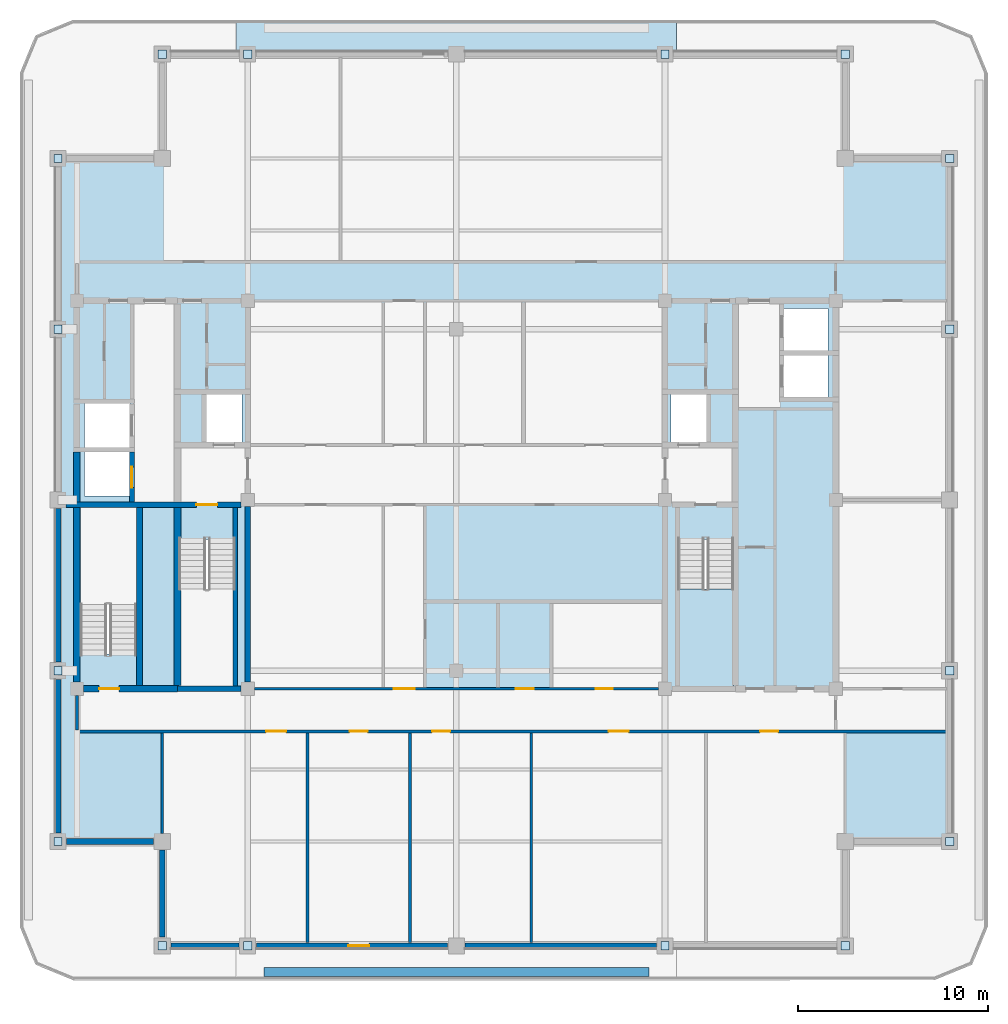
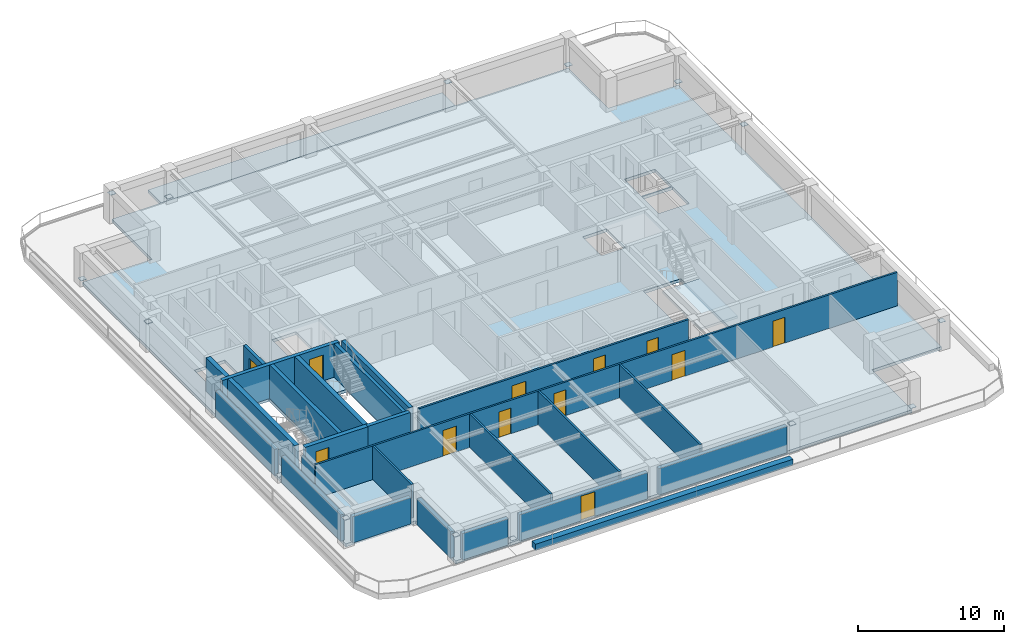
# One storey, part 2 of 10: 25 walls, 16 plates, 12 doors, 3 slabs, 12 openings, 1 element without a shape of its own.
"""IFC4 building model written with IfcOpenShell, lengths in metres."""

from ifc_helpers import new_model, si_unit, direction, frame, frame_2d, origin, origin_2d, place, context, subcontext, project, spatial, polyline, rectangle, outline, extrude, material, layer, layer_set, type_object, element, fill, aggregate, save


model = new_model("IFC4")

# Units and contexts
model_context = context("Model", 3, precision=1e-05, world=origin(), true_north=direction((0.0, 1.0)))
body_context = subcontext(model_context, "Body", "Model", "MODEL_VIEW")
ifc_project = project(units=[si_unit("LENGTHUNIT", "METRE"), si_unit("AREAUNIT", "SQUARE_METRE"), si_unit("VOLUMEUNIT", "CUBIC_METRE"), si_unit("PLANEANGLEUNIT", "RADIAN"), si_unit("MASSUNIT", "GRAM", prefix="KILO")], contexts=[model_context])

# Site, building, storey
site_placement = place(None, origin())
site = spatial("IfcSite", under=ifc_project, at=site_placement, CompositionType="ELEMENT")
building_placement = place(site_placement, origin())
building = spatial("IfcBuilding", under=site, at=building_placement, Name="Zulmaris Gate Convention Tower", CompositionType="ELEMENT")
storey_placement = place(building_placement, frame((0.0, 0.0, 246.199951171875)))
storey = spatial("IfcBuildingStorey", under=building, at=storey_placement, Name="L65", CompositionType="ELEMENT", Elevation=246.199951171875)

# Plates
ifc_material_1 = material(Name="Steel S460", Category="steel")
ifc_layer_1 = layer(ifc_material_1, 0.02490234375, Name="Steel S460")
ifc_layer_set_1 = layer_set([ifc_layer_1], Name="Steel S460")
plate_type = type_object("IfcPlateType", Name="NP-CAP-440", PredefinedType="USERDEFINED", material=ifc_layer_set_1)
for number, where, z_axis, x_axis, name in (
    (1, (-21.0, -9.0, 0.28759765625), (0.0, 0.0, 1.0), (1.0, 0.0, 0.0), "L65 Steel Node Plate PBR-L65-SW-W-CAP"),
    (2, (-21.0, -18.0, 2.172607421875), (0.0, 0.0, 1.0), (1.0, 0.0, 0.0), "L65 Steel Node Plate PBR-L65-SW-W-CAPB"),
    (3, (-21.0, 18.0, 0.28759765625), (0.0, 0.0, 1.0), (1.0, 0.0, 0.0), "L65 Steel Node Plate PBR-L65-NW-W-CAP"),
    (4, (-21.0, 9.0, 2.172607421875), (0.0, 0.0, 1.0), (1.0, 0.0, 0.0), "L65 Steel Node Plate PBR-L65-NW-W-CAPB"),
    (5, (26.0, -9.0, 0.28759765625), (0.0, 0.0, 1.0), (1.0, 0.0, 0.0), "L65 Steel Node Plate PBR-L65-SE-E-CAP"),
    (6, (26.0, -18.0, 2.172607421875), (0.0, 0.0, 1.0), (1.0, 0.0, 0.0), "L65 Steel Node Plate PBR-L65-SE-E-CAPB"),
    (7, (26.0, 18.0, 0.28759765625), (0.0, 0.0, 1.0), (1.0, 0.0, 0.0), "L65 Steel Node Plate PBR-L65-NE-E-CAP"),
    (8, (26.0, 9.0, 2.172607421875), (0.0, 0.0, 1.0), (1.0, 0.0, 0.0), "L65 Steel Node Plate PBR-L65-NE-E-CAPB"),
    (9, (-11.0, -23.5, 0.28759765625), (0.0, 0.0, 1.0), (1.0, 0.0, 0.0), "L65 Steel Node Plate PBR-L65-SW-S-CAP"),
    (10, (-15.5, -23.5, 2.172607421875), (0.0, 0.0, 1.0), (1.0, 0.0, 0.0), "L65 Steel Node Plate PBR-L65-SW-S-CAPB"),
    (11, (20.5, -23.5, 0.28759765625), (0.0, 0.0, 1.0), (1.0, 0.0, 0.0), "L65 Steel Node Plate PBR-L65-SE-S-CAP"),
    (12, (11.0, -23.5, 2.172607421875), (0.0, 0.0, 1.0), (1.0, 0.0, 0.0), "L65 Steel Node Plate PBR-L65-SE-S-CAPB"),
    (13, (-11.0, 23.5, 0.28759765625), (0.0, 0.0, 1.0), (1.0, 0.0, 0.0), "L65 Steel Node Plate PBR-L65-NW-N-CAP"),
    (14, (-15.5, 23.5, 2.172607421875), (0.0, 0.0, 1.0), (1.0, 0.0, 0.0), "L65 Steel Node Plate PBR-L65-NW-N-CAPB"),
    (15, (20.5, 23.5, 0.28759765625), (0.0, 0.0, 1.0), (1.0, 0.0, 0.0), "L65 Steel Node Plate PBR-L65-NE-N-CAP"),
    (16, (11.0, 23.5, 2.172607421875), (0.0, 0.0, 1.0), (1.0, 0.0, 0.0), "L65 Steel Node Plate PBR-L65-NE-N-CAPB"),
):
    element("IfcPlate", number, at=place(storey_placement, frame(where, z_axis=z_axis, x_axis=x_axis)), inside=storey, type_object=plate_type, Name=name, ObjectType="FLANGE PLATE", PredefinedType="USERDEFINED", context=body_context, shape_type="SweptSolid", body=[
        extrude(rectangle(XDim=0.43994140625, YDim=0.43994140625, at=origin_2d()), origin(), (0.0, 0.0, 1.0), 0.02490234375),
    ])

# Slabs
ifc_material_2 = material(Name="Precast concrete C50/60", Category="concrete")
ifc_layer_2 = layer(ifc_material_2, 0.239990234375, Name="Precast concrete C50/60")
ifc_layer_set_2 = layer_set([ifc_layer_2], Name="Precast concrete C50/60")
slab_type_1 = type_object("IfcSlabType", Name="SL-BAL-240", PredefinedType="FLOOR", material=ifc_layer_set_2)
slab_1_placement = place(storey_placement, frame((0.0, 0.0, -0.25)))
element("IfcSlab", 17, at=slab_1_placement, inside=storey, type_object=slab_type_1, Name="L65 North Tree-Balcony Planter Slab", PredefinedType="FLOOR", context=body_context, shape_type="SweptSolid", body=[
    extrude(outline(polyline([(11.597900390625, 25.300048828125), (11.597900390625, 23.5), (-11.597900390625, 23.5), (-11.597900390625, 25.300048828125), (11.597900390625, 25.300048828125)])), origin(), (0.0, 0.0, 1.0), 0.239990234375),
])
ifc_material_3 = material(Name="Concrete C50/60", Category="concrete")
ifc_layer_3 = layer(ifc_material_3, 0.25, Name="Concrete C50/60")
ifc_layer_set_3 = layer_set([ifc_layer_3], Name="Concrete C50/60")
slab_type_2 = type_object("IfcSlabType", Name="SL-FLR-250", PredefinedType="FLOOR", material=ifc_layer_set_3)
slab_2_placement = place(storey_placement, frame((0.0, 0.0, -0.25)))
element("IfcSlab", 18, at=slab_2_placement, inside=storey, type_object=slab_type_2, Name="L65 Shifted Notched-Square Structural Floor Slab", PredefinedType="FLOOR", context=body_context, shape_type="SweptSolid", body=[
    extrude(outline(polyline([(-15.5, -23.5), (20.5, -23.5), (20.5, -18.0), (26.0, -18.0), (26.0, 18.0), (20.5, 18.0), (20.5, 23.5), (-15.5, 23.5), (-15.5, 18.0), (-21.0, 18.0), (-21.0, -18.0), (-15.5, -18.0), (-15.5, -23.5)]), holes=[polyline([(-14.6201171875, -2.080078125), (-14.6201171875, -9.85009765625), (-11.659912109375, -9.85009765625), (-11.659912109375, -2.080078125), (-14.6201171875, -2.080078125)]), polyline([(11.659912109375, -2.080078125), (11.659912109375, -9.85009765625), (14.6201171875, -9.85009765625), (14.6201171875, -2.080078125), (11.659912109375, -2.080078125)]), polyline([(-16.860107421875, -8.1201171875), (-16.860107421875, -0.35009765625), (-19.820068359375, -0.35009765625), (-19.820068359375, -8.1201171875), (-16.860107421875, -8.1201171875)]), polyline([(-13.199951171875, 3.0), (-11.300048828125, 3.0), (-11.300048828125, 5.60009765625), (-13.199951171875, 5.60009765625), (-13.199951171875, 3.0)]), polyline([(11.300048828125, 3.0), (13.199951171875, 3.0), (13.199951171875, 5.60009765625), (11.300048828125, 5.60009765625), (11.300048828125, 3.0)]), polyline([(17.199951171875, 5.39990234375), (19.60009765625, 5.39990234375), (19.60009765625, 7.699951171875), (17.199951171875, 7.699951171875), (17.199951171875, 5.39990234375)]), polyline([(17.199951171875, 7.800048828125), (19.60009765625, 7.800048828125), (19.60009765625, 10.10009765625), (17.199951171875, 10.10009765625), (17.199951171875, 7.800048828125)]), polyline([(-19.60009765625, 0.199951171875), (-17.199951171875, 0.199951171875), (-17.199951171875, 2.60009765625), (-19.60009765625, 2.60009765625), (-19.60009765625, 0.199951171875)]), polyline([(-19.60009765625, 2.699951171875), (-17.199951171875, 2.699951171875), (-17.199951171875, 5.10009765625), (-19.60009765625, 5.10009765625), (-19.60009765625, 2.699951171875)])]), origin(), (0.0, 0.0, 1.0), 0.25),
])

# Stair, slab
ifc_material_4 = material(Name="Concrete C45/55", Category="concrete")
stair_type = type_object("IfcStairType", Name="ST-CORE-DOGLEG", PredefinedType="HALF_TURN_STAIR", material=ifc_material_4)
stair_placement = place(storey_placement, origin())
stair = element("IfcStair", 19, at=stair_placement, inside=storey, type_object=stair_type, Name="L65 Core Exit Stair ST-2", PredefinedType="HALF_TURN_STAIR")
ifc_layer_4 = layer(ifc_material_4, 0.199951171875, Name="Concrete C45/55")
ifc_layer_set_4 = layer_set([ifc_layer_4], Name="Concrete C45/55")
slab_type_3 = type_object("IfcSlabType", Name="SL-LND-200", PredefinedType="LANDING", material=ifc_layer_set_4)
slab_3_placement = place(storey_placement, frame((0.0, 0.0, 1.4150390625)))
slab_3 = element("IfcSlab", 20, at=slab_3_placement, type_object=slab_type_3, Name="ST-2 landing 1", PredefinedType="LANDING", context=body_context, shape_type="SweptSolid", body=[
    extrude(outline(polyline([(11.659912109375, -4.699951171875), (11.659912109375, -9.85009765625), (14.6201171875, -9.85009765625), (14.6201171875, -4.699951171875), (11.659912109375, -4.699951171875)])), origin(), (0.0, 0.0, 1.0), 0.199951171875),
])
aggregate(stair, [slab_3])

# Wall, opening, door
ifc_layer_5 = layer(ifc_material_3, 0.25, Name="Concrete C50/60")
ifc_layer_set_5 = layer_set([ifc_layer_5], Name="Concrete C50/60")
wall_type_1 = type_object("IfcWallType", Name="CORE-250", PredefinedType="SOLIDWALL", material=ifc_layer_set_5)
wall_1_placement = place(storey_placement, frame((-17.10009765625, -0.097900390625, 0.0), z_axis=(0.0, 0.0, 1.0), x_axis=(0.0, 1.0, 0.0)))
wall_1 = element("IfcWall", 21, at=wall_1_placement, inside=storey, type_object=wall_type_1, Name="WL-L65-037", PredefinedType="SOLIDWALL", context=body_context, shape_type="SweptSolid", body=[
    extrude(rectangle(XDim=2.620849609375, YDim=0.25, at=frame_2d((1.310546875, 0.0))), origin(), (0.0, 0.0, 1.0), 2.804931640625),
])
opening_1_placement = place(wall_1_placement, frame((0.748046875, 0.0, 0.0)))
opening_1 = element("IfcOpeningElement", 22, at=opening_1_placement, cuts=wall_1, Name="Opening D-06", PredefinedType="OPENING", context=body_context, shape_type="SweptSolid", body=[
    extrude(rectangle(XDim=1.10009765625, YDim=2.199951171875, at=frame_2d((0.550048828125, 1.10009765625))), frame((0.0, 0.135009765625, 0.0), z_axis=(0.0, -1.0, 0.0), x_axis=(1.0, 0.0, 0.0)), (0.0, 0.0, 1.0), 0.27001953125),
])
ifc_material_5 = material(Name="Brushed Stainless Steel", Category="steel")
door_type_1 = type_object("IfcDoorType", Name="LD-1100", OperationType="NOTDEFINED", PredefinedType="DOOR", material=ifc_material_5)
door_1_placement = place(opening_1_placement, origin())
door_1 = element("IfcDoor", 23, at=door_1_placement, inside=storey, type_object=door_type_1, Name="L65 Lift Landing Door HP-03 14", OperationType="SLIDING_TO_LEFT", OverallHeight=2.199951171875, OverallWidth=1.10009765625, PredefinedType="DOOR", context=body_context, shape_type="SweptSolid", body=[
    extrude(rectangle(XDim=1.10009765625, YDim=2.199951171875, at=frame_2d((0.550048828125, 1.10009765625))), frame((0.0, 0.02490234375, 0.0), z_axis=(0.0, -1.0, 0.0), x_axis=(1.0, 0.0, 0.0)), (0.0, 0.0, 1.0), 0.050048828125),
])
fill(opening_1, door_1)

# Walls
wall_2_placement = place(storey_placement, frame((-11.64990234375, -9.798095703125, 0.0), z_axis=(0.0, 0.0, 1.0), x_axis=(0.0, 1.0, 0.0)))
element("IfcWall", 24, at=wall_2_placement, inside=storey, type_object=wall_type_1, Name="WL-L65-045", PredefinedType="SOLIDWALL", context=body_context, shape_type="SweptSolid", body=[
    extrude(rectangle(XDim=9.39599609375, YDim=0.25, at=frame_2d((4.697998046875, 0.0))), origin(), (0.0, 0.0, 1.0), 2.804931640625),
])
ifc_layer_6 = layer(ifc_material_3, 0.300048828125, Name="Concrete C50/60")
ifc_layer_set_6 = layer_set([ifc_layer_6], Name="Concrete C50/60")
wall_type_2 = type_object("IfcWallType", Name="CORE-300", PredefinedType="SHEAR", material=ifc_layer_set_6)
wall_3_placement = place(storey_placement, frame((-14.699951171875, -9.949951171875, 0.0), z_axis=(0.0, 0.0, 1.0), x_axis=(1.0, 0.0, 0.0)))
element("IfcWall", 25, at=wall_3_placement, inside=storey, type_object=wall_type_2, Name="WL-L65-002", PredefinedType="SHEAR", context=body_context, shape_type="SweptSolid", body=[
    extrude(rectangle(XDim=3.345947265625, YDim=0.300048828125, at=frame_2d((1.6728515625, 0.0))), origin(), (0.0, 0.0, 1.0), 2.804931640625),
])

# Wall, opening, door
wall_4_placement = place(storey_placement, frame((-20.571044921875, -0.25, 0.0), z_axis=(0.0, 0.0, 1.0), x_axis=(1.0, 0.0, 0.0)))
wall_4 = element("IfcWall", 26, at=wall_4_placement, inside=storey, type_object=wall_type_2, Name="WL-L65-005", PredefinedType="SHEAR", context=body_context, shape_type="SweptSolid", body=[
    extrude(rectangle(XDim=9.217041015625, YDim=0.300048828125, at=frame_2d((4.6083984375, 0.0))), origin(), (0.0, 0.0, 1.0), 2.804931640625),
])
opening_2_placement = place(wall_4_placement, frame((6.87109375, 0.0, 0.0)))
opening_2 = element("IfcOpeningElement", 27, at=opening_2_placement, cuts=wall_4, Name="Opening D-08", PredefinedType="OPENING", context=body_context, shape_type="SweptSolid", body=[
    extrude(rectangle(XDim=1.10009765625, YDim=2.14990234375, at=frame_2d((0.550048828125, 1.074951171875))), frame((0.0, 0.16015625, 0.0), z_axis=(0.0, -1.0, 0.0), x_axis=(1.0, 0.0, 0.0)), (0.0, 0.0, 1.0), 0.320068359375),
])
ifc_material_6 = material(Name="Fire-Rated Steel", Category="steel")
door_type_2 = type_object("IfcDoorType", Name="DR-1100-FD", OperationType="NOTDEFINED", PredefinedType="DOOR", material=ifc_material_6)
door_2_placement = place(opening_2_placement, origin())
door_2 = element("IfcDoor", 28, at=door_2_placement, inside=storey, type_object=door_type_2, Name="L65 Exit Stair ST-1 Door 01", OperationType="SINGLE_SWING_RIGHT", OverallHeight=2.14990234375, OverallWidth=1.10009765625, PredefinedType="DOOR", context=body_context, shape_type="SweptSolid", body=[
    extrude(rectangle(XDim=1.10009765625, YDim=2.14990234375, at=frame_2d((0.550048828125, 1.074951171875))), frame((0.0, 0.02490234375, 0.0), z_axis=(0.0, -1.0, 0.0), x_axis=(1.0, 0.0, 0.0)), (0.0, 0.0, 1.0), 0.050048828125),
])
fill(opening_2, door_2)

# Walls
wall_5_placement = place(storey_placement, frame((-16.699951171875, -9.77294921875, 0.0), z_axis=(0.0, 0.0, 1.0), x_axis=(0.0, 1.0, 0.0)))
element("IfcWall", 29, at=wall_5_placement, inside=storey, type_object=wall_type_2, Name="WL-L65-039", PredefinedType="SHEAR", context=body_context, shape_type="SweptSolid", body=[
    extrude(rectangle(XDim=9.370849609375, YDim=0.300048828125, at=frame_2d((4.685546875, 0.0))), origin(), (0.0, 0.0, 1.0), 2.804931640625),
])
wall_6_placement = place(storey_placement, frame((-11.0, -9.595947265625, 0.0), z_axis=(0.0, 0.0, 1.0), x_axis=(0.0, 1.0, 0.0)))
element("IfcWall", 30, at=wall_6_placement, inside=storey, type_object=wall_type_2, Name="WL-L65-046", PredefinedType="SHEAR", context=body_context, shape_type="SweptSolid", body=[
    extrude(rectangle(XDim=9.241943359375, YDim=0.300048828125, at=frame_2d((4.62109375, 0.0))), origin(), (0.0, 0.0, 1.0), 2.804931640625),
])

# Wall, opening, door
ifc_material_7 = material(Name="Concrete C55/67", Category="concrete")
ifc_layer_7 = layer(ifc_material_7, 0.35009765625, Name="Concrete C55/67")
ifc_layer_set_7 = layer_set([ifc_layer_7], Name="Concrete C55/67")
wall_type_3 = type_object("IfcWallType", Name="CORE-350", PredefinedType="SHEAR", material=ifc_layer_set_7)
wall_7_placement = place(storey_placement, frame((-19.64599609375, -9.949951171875, 0.0), z_axis=(0.0, 0.0, 1.0), x_axis=(1.0, 0.0, 0.0)))
wall_7 = element("IfcWall", 31, at=wall_7_placement, inside=storey, type_object=wall_type_3, Name="WL-L65-001", PredefinedType="SHEAR", context=body_context, shape_type="SweptSolid", body=[
    extrude(rectangle(XDim=4.946044921875, YDim=0.35009765625, at=frame_2d((2.47314453125, 0.0))), origin(), (0.0, 0.0, 1.0), 2.804931640625),
])
opening_3_placement = place(wall_7_placement, frame((0.821044921875, 0.0, 0.0)))
opening_3 = element("IfcOpeningElement", 32, at=opening_3_placement, cuts=wall_7, Name="Opening D-09", PredefinedType="OPENING", context=body_context, shape_type="SweptSolid", body=[
    extrude(rectangle(XDim=1.050048828125, YDim=2.14990234375, at=frame_2d((0.52490234375, 1.074951171875))), frame((0.0, 0.18505859375, 0.0), z_axis=(0.0, -1.0, 0.0), x_axis=(1.0, 0.0, 0.0)), (0.0, 0.0, 1.0), 0.3701171875),
])
door_type_3 = type_object("IfcDoorType", Name="DR-1050-FD", OperationType="NOTDEFINED", PredefinedType="DOOR", material=ifc_material_6)
door_3_placement = place(opening_3_placement, origin())
door_3 = element("IfcDoor", 33, at=door_3_placement, inside=storey, type_object=door_type_3, Name="L65 Exit Stair ST-3 Door 13", OperationType="SINGLE_SWING_RIGHT", OverallHeight=2.14990234375, OverallWidth=1.050048828125, PredefinedType="DOOR", context=body_context, shape_type="SweptSolid", body=[
    extrude(rectangle(XDim=1.050048828125, YDim=2.14990234375, at=frame_2d((0.52490234375, 1.074951171875))), frame((0.0, 0.02490234375, 0.0), z_axis=(0.0, -1.0, 0.0), x_axis=(1.0, 0.0, 0.0)), (0.0, 0.0, 1.0), 0.050048828125),
])
fill(opening_3, door_3)

# Walls
wall_8_placement = place(storey_placement, frame((-20.0, -9.595947265625, 0.0), z_axis=(0.0, 0.0, 1.0), x_axis=(0.0, 1.0, 0.0)))
element("IfcWall", 34, at=wall_8_placement, inside=storey, type_object=wall_type_3, Name="WL-L65-033", PredefinedType="SHEAR", context=body_context, shape_type="SweptSolid", body=[
    extrude(rectangle(XDim=9.19384765625, YDim=0.35009765625, at=frame_2d((4.596923828125, 0.0))), origin(), (0.0, 0.0, 1.0), 2.804931640625),
])
wall_9_placement = place(storey_placement, frame((-20.0, -0.097900390625, 0.0), z_axis=(0.0, 0.0, 1.0), x_axis=(0.0, 1.0, 0.0)))
element("IfcWall", 35, at=wall_9_placement, inside=storey, type_object=wall_type_3, Name="WL-L65-034", PredefinedType="SHEAR", context=body_context, shape_type="SweptSolid", body=[
    extrude(rectangle(XDim=2.620849609375, YDim=0.35009765625, at=frame_2d((1.310546875, 0.0))), origin(), (0.0, 0.0, 1.0), 2.804931640625),
])
wall_10_placement = place(storey_placement, frame((-14.699951171875, -9.77294921875, 0.0), z_axis=(0.0, 0.0, 1.0), x_axis=(0.0, 1.0, 0.0)))
element("IfcWall", 36, at=wall_10_placement, inside=storey, type_object=wall_type_3, Name="WL-L65-040", PredefinedType="SHEAR", context=body_context, shape_type="SweptSolid", body=[
    extrude(rectangle(XDim=9.370849609375, YDim=0.35009765625, at=frame_2d((4.685546875, 0.0))), origin(), (0.0, 0.0, 1.0), 2.804931640625),
])

# Wall, openings, doors
ifc_material_8 = material(Name="Gypsum Metal Stud Partition")
ifc_layer_8 = layer(ifc_material_8, 0.14990234375, Name="Gypsum Metal Stud Partition")
ifc_layer_set_8 = layer_set([ifc_layer_8], Name="Gypsum Metal Stud Partition")
wall_type_4 = type_object("IfcWallType", Name="PART-150", PredefinedType="PARTITIONING", material=ifc_layer_set_8)
wall_11_placement = place(storey_placement, frame((-20.074951171875, -12.199951171875, 0.0), z_axis=(0.0, 0.0, 1.0), x_axis=(1.0, 0.0, 0.0)))
wall_11 = element("IfcWall", 37, at=wall_11_placement, inside=storey, type_object=wall_type_4, Name="WL-L65-019", PredefinedType="PARTITIONING", context=body_context, shape_type="SweptSolid", body=[
    extrude(rectangle(XDim=45.909912109375, YDim=0.14990234375, at=frame_2d((22.955078125, 0.0))), origin(), (0.0, 0.0, 1.0), 2.804931640625),
])
opening_4_placement = place(wall_11_placement, frame((10.050048828125, 0.0, 0.0)))
opening_4 = element("IfcOpeningElement", 38, at=opening_4_placement, cuts=wall_11, Name="Opening D-09", PredefinedType="OPENING", context=body_context, shape_type="SweptSolid", body=[
    extrude(rectangle(XDim=1.050048828125, YDim=2.14990234375, at=frame_2d((0.52490234375, 1.074951171875))), frame((0.0, 0.0849609375, 0.0), z_axis=(0.0, -1.0, 0.0), x_axis=(1.0, 0.0, 0.0)), (0.0, 0.0, 1.0), 0.169921875),
])
opening_5_placement = place(wall_11_placement, frame((14.449951171875, 0.0, 0.0)))
opening_5 = element("IfcOpeningElement", 39, at=opening_5_placement, cuts=wall_11, Name="Opening D-11", PredefinedType="OPENING", context=body_context, shape_type="SweptSolid", body=[
    extrude(rectangle(XDim=0.949951171875, YDim=2.14990234375, at=frame_2d((0.47509765625, 1.074951171875))), frame((0.0, 0.0849609375, 0.0), z_axis=(0.0, -1.0, 0.0), x_axis=(1.0, 0.0, 0.0)), (0.0, 0.0, 1.0), 0.169921875),
])
opening_6_placement = place(wall_11_placement, frame((18.800048828125, 0.0, 0.0)))
opening_6 = element("IfcOpeningElement", 40, at=opening_6_placement, cuts=wall_11, Name="Opening D-11", PredefinedType="OPENING", context=body_context, shape_type="SweptSolid", body=[
    extrude(rectangle(XDim=0.949951171875, YDim=2.14990234375, at=frame_2d((0.47509765625, 1.074951171875))), frame((0.0, 0.0849609375, 0.0), z_axis=(0.0, -1.0, 0.0), x_axis=(1.0, 0.0, 0.0)), (0.0, 0.0, 1.0), 0.169921875),
])
opening_7_placement = place(wall_11_placement, frame((28.10009765625, 0.0, 0.0)))
opening_7 = element("IfcOpeningElement", 41, at=opening_7_placement, cuts=wall_11, Name="Opening D-09", PredefinedType="OPENING", context=body_context, shape_type="SweptSolid", body=[
    extrude(rectangle(XDim=1.050048828125, YDim=2.14990234375, at=frame_2d((0.52490234375, 1.074951171875))), frame((0.0, 0.0849609375, 0.0), z_axis=(0.0, -1.0, 0.0), x_axis=(1.0, 0.0, 0.0)), (0.0, 0.0, 1.0), 0.169921875),
])
opening_8_placement = place(wall_11_placement, frame((36.080078125, 0.0, 0.0)))
opening_8 = element("IfcOpeningElement", 42, at=opening_8_placement, cuts=wall_11, Name="Opening D-11", PredefinedType="OPENING", context=body_context, shape_type="SweptSolid", body=[
    extrude(rectangle(XDim=0.949951171875, YDim=2.14990234375, at=frame_2d((0.47509765625, 1.074951171875))), frame((0.0, 0.0849609375, 0.0), z_axis=(0.0, -1.0, 0.0), x_axis=(1.0, 0.0, 0.0)), (0.0, 0.0, 1.0), 0.169921875),
])
door_4_placement = place(opening_4_placement, origin())
door_4 = element("IfcDoor", 43, at=door_4_placement, inside=storey, type_object=door_type_3, Name="L65 Research Reading Room Door 31", OperationType="SINGLE_SWING_RIGHT", OverallHeight=2.14990234375, OverallWidth=1.050048828125, PredefinedType="DOOR", context=body_context, shape_type="SweptSolid", body=[
    extrude(rectangle(XDim=1.050048828125, YDim=2.14990234375, at=frame_2d((0.52490234375, 1.074951171875))), frame((0.0, 0.02490234375, 0.0), z_axis=(0.0, -1.0, 0.0), x_axis=(1.0, 0.0, 0.0)), (0.0, 0.0, 1.0), 0.050048828125),
])
fill(opening_4, door_4)
door_5_placement = place(opening_7_placement, origin())
door_5 = element("IfcDoor", 44, at=door_5_placement, inside=storey, type_object=door_type_3, Name="L65 Editorial Focus Suite Door 34", OperationType="SINGLE_SWING_LEFT", OverallHeight=2.14990234375, OverallWidth=1.050048828125, PredefinedType="DOOR", context=body_context, shape_type="SweptSolid", body=[
    extrude(rectangle(XDim=1.050048828125, YDim=2.14990234375, at=frame_2d((0.52490234375, 1.074951171875))), frame((0.0, 0.02490234375, 0.0), z_axis=(0.0, -1.0, 0.0), x_axis=(1.0, 0.0, 0.0)), (0.0, 0.0, 1.0), 0.050048828125),
])
fill(opening_7, door_5)
ifc_material_9 = material(Name="Fire-Rated Timber", Category="wood")
door_type_4 = type_object("IfcDoorType", Name="DR-950-FD", OperationType="NOTDEFINED", PredefinedType="DOOR", material=ifc_material_9)
door_6_placement = place(opening_5_placement, origin())
door_6 = element("IfcDoor", 45, at=door_6_placement, inside=storey, type_object=door_type_4, Name="L65 Quiet Focus Study Door 32", OperationType="SINGLE_SWING_LEFT", OverallHeight=2.14990234375, OverallWidth=0.949951171875, PredefinedType="DOOR", context=body_context, shape_type="SweptSolid", body=[
    extrude(rectangle(XDim=0.949951171875, YDim=2.14990234375, at=frame_2d((0.47509765625, 1.074951171875))), frame((0.0, 0.02490234375, 0.0), z_axis=(0.0, -1.0, 0.0), x_axis=(1.0, 0.0, 0.0)), (0.0, 0.0, 1.0), 0.050048828125),
])
fill(opening_5, door_6)
door_7_placement = place(opening_6_placement, origin())
door_7 = element("IfcDoor", 46, at=door_7_placement, inside=storey, type_object=door_type_4, Name="L65 Legal Library Room Door 33", OperationType="SINGLE_SWING_RIGHT", OverallHeight=2.14990234375, OverallWidth=0.949951171875, PredefinedType="DOOR", context=body_context, shape_type="SweptSolid", body=[
    extrude(rectangle(XDim=0.949951171875, YDim=2.14990234375, at=frame_2d((0.47509765625, 1.074951171875))), frame((0.0, 0.02490234375, 0.0), z_axis=(0.0, -1.0, 0.0), x_axis=(1.0, 0.0, 0.0)), (0.0, 0.0, 1.0), 0.050048828125),
])
fill(opening_6, door_7)
door_8_placement = place(opening_8_placement, origin())
door_8 = element("IfcDoor", 47, at=door_8_placement, inside=storey, type_object=door_type_4, Name="L65 Research Reading Room Door 35", OperationType="SINGLE_SWING_RIGHT", OverallHeight=2.14990234375, OverallWidth=0.949951171875, PredefinedType="DOOR", context=body_context, shape_type="SweptSolid", body=[
    extrude(rectangle(XDim=0.949951171875, YDim=2.14990234375, at=frame_2d((0.47509765625, 1.074951171875))), frame((0.0, 0.02490234375, 0.0), z_axis=(0.0, -1.0, 0.0), x_axis=(1.0, 0.0, 0.0)), (0.0, 0.0, 1.0), 0.050048828125),
])
fill(opening_8, door_8)

wall_12_placement = place(storey_placement, frame((-10.64404296875, -9.949951171875, 0.0), z_axis=(0.0, 0.0, 1.0), x_axis=(1.0, 0.0, 0.0)))
wall_12 = element("IfcWall", 48, at=wall_12_placement, inside=storey, type_object=wall_type_4, Name="WL-L65-020", PredefinedType="PARTITIONING", context=body_context, shape_type="SweptSolid", body=[
    extrude(rectangle(XDim=21.2880859375, YDim=0.14990234375, at=frame_2d((10.64404296875, 0.0))), origin(), (0.0, 0.0, 1.0), 2.804931640625),
])
opening_9_placement = place(wall_12_placement, frame((7.343994140625, 0.0, 0.0)))
opening_9 = element("IfcOpeningElement", 49, at=opening_9_placement, cuts=wall_12, Name="Opening D-08", PredefinedType="OPENING", context=body_context, shape_type="SweptSolid", body=[
    extrude(rectangle(XDim=1.10009765625, YDim=2.14990234375, at=frame_2d((0.550048828125, 1.074951171875))), frame((0.0, 0.0849609375, 0.0), z_axis=(0.0, -1.0, 0.0), x_axis=(1.0, 0.0, 0.0)), (0.0, 0.0, 1.0), 0.169921875),
])
opening_10_placement = place(wall_12_placement, frame((13.76904296875, 0.0, 0.0)))
opening_10 = element("IfcOpeningElement", 50, at=opening_10_placement, cuts=wall_12, Name="Opening D-11", PredefinedType="OPENING", context=body_context, shape_type="SweptSolid", body=[
    extrude(rectangle(XDim=0.949951171875, YDim=2.14990234375, at=frame_2d((0.47509765625, 1.074951171875))), frame((0.0, 0.0849609375, 0.0), z_axis=(0.0, -1.0, 0.0), x_axis=(1.0, 0.0, 0.0)), (0.0, 0.0, 1.0), 0.169921875),
])
opening_11_placement = place(wall_12_placement, frame((17.993896484375, 0.0, 0.0)))
opening_11 = element("IfcOpeningElement", 51, at=opening_11_placement, cuts=wall_12, Name="Opening D-12", PredefinedType="OPENING", context=body_context, shape_type="SweptSolid", body=[
    extrude(rectangle(XDim=0.89990234375, YDim=2.14990234375, at=frame_2d((0.449951171875, 1.074951171875))), frame((0.0, 0.0849609375, 0.0), z_axis=(0.0, -1.0, 0.0), x_axis=(1.0, 0.0, 0.0)), (0.0, 0.0, 1.0), 0.169921875),
])
door_9_placement = place(opening_9_placement, origin())
door_9 = element("IfcDoor", 52, at=door_9_placement, inside=storey, type_object=door_type_2, Name="L65 Exec South Link Door 26", OperationType="SINGLE_SWING_LEFT", OverallHeight=2.14990234375, OverallWidth=1.10009765625, PredefinedType="DOOR", context=body_context, shape_type="SweptSolid", body=[
    extrude(rectangle(XDim=1.10009765625, YDim=2.14990234375, at=frame_2d((0.550048828125, 1.074951171875))), frame((0.0, 0.02490234375, 0.0), z_axis=(0.0, -1.0, 0.0), x_axis=(1.0, 0.0, 0.0)), (0.0, 0.0, 1.0), 0.050048828125),
])
fill(opening_9, door_9)
door_type_5 = type_object("IfcDoorType", Name="DR-900-FD", OperationType="NOTDEFINED", PredefinedType="DOOR", material=ifc_material_9)
door_10_placement = place(opening_11_placement, origin())
door_10 = element("IfcDoor", 53, at=door_10_placement, inside=storey, type_object=door_type_5, Name="L65 Reprographics Office Door 43", OperationType="SINGLE_SWING_RIGHT", OverallHeight=2.14990234375, OverallWidth=0.89990234375, PredefinedType="DOOR", context=body_context, shape_type="SweptSolid", body=[
    extrude(rectangle(XDim=0.89990234375, YDim=2.14990234375, at=frame_2d((0.449951171875, 1.074951171875))), frame((0.0, 0.02490234375, 0.0), z_axis=(0.0, -1.0, 0.0), x_axis=(1.0, 0.0, 0.0)), (0.0, 0.0, 1.0), 0.050048828125),
])
fill(opening_11, door_10)
door_11_placement = place(opening_10_placement, origin())
door_11 = element("IfcDoor", 54, at=door_11_placement, inside=storey, type_object=door_type_4, Name="L65 Accessible WC Door 42", OperationType="SINGLE_SWING_LEFT", OverallHeight=2.14990234375, OverallWidth=0.949951171875, PredefinedType="DOOR", context=body_context, shape_type="SweptSolid", body=[
    extrude(rectangle(XDim=0.949951171875, YDim=2.14990234375, at=frame_2d((0.47509765625, 1.074951171875))), frame((0.0, 0.02490234375, 0.0), z_axis=(0.0, -1.0, 0.0), x_axis=(1.0, 0.0, 0.0)), (0.0, 0.0, 1.0), 0.050048828125),
])
fill(opening_10, door_11)

# Walls
wall_13_placement = place(storey_placement, frame((-20.0, -12.1220703125, 0.0), z_axis=(0.0, 0.0, 1.0), x_axis=(0.0, 1.0, 0.0)))
element("IfcWall", 55, at=wall_13_placement, inside=storey, type_object=wall_type_4, Name="WL-L65-065", PredefinedType="PARTITIONING", context=body_context, shape_type="SweptSolid", body=[
    extrude(rectangle(XDim=1.816162109375, YDim=0.14990234375, at=frame_2d((0.908203125, 0.0))), origin(), (0.0, 0.0, 1.0), 2.39501953125),
])
wall_14_placement = place(storey_placement, frame((-15.5, -17.569091796875, 0.0), z_axis=(0.0, 0.0, 1.0), x_axis=(0.0, 1.0, 0.0)))
element("IfcWall", 56, at=wall_14_placement, inside=storey, type_object=wall_type_4, Name="WL-L65-069", PredefinedType="PARTITIONING", context=body_context, shape_type="SweptSolid", body=[
    extrude(rectangle(XDim=5.291015625, YDim=0.14990234375, at=frame_2d((2.6455078125, 0.0))), origin(), (0.0, 0.0, 1.0), 2.804931640625),
])
for number, where, z_axis, x_axis, name in (
    (57, (-7.85009765625, -23.3349609375, 0.0), (0.0, 0.0, 1.0), (0.0, 1.0, 0.0), "WL-L65-072"),
    (58, (-2.449951171875, -23.3349609375, 0.0), (0.0, 0.0, 1.0), (0.0, 1.0, 0.0), "WL-L65-076"),
    (59, (3.949951171875, -23.3349609375, 0.0), (0.0, 0.0, 1.0), (0.0, 1.0, 0.0), "WL-L65-082"),
):
    element("IfcWall", number, at=place(storey_placement, frame(where, z_axis=z_axis, x_axis=x_axis)), inside=storey, type_object=wall_type_4, Name=name, PredefinedType="PARTITIONING", context=body_context, shape_type="SweptSolid", body=[
        extrude(rectangle(XDim=11.056884765625, YDim=0.14990234375, at=frame_2d((5.5283203125, 0.0))), origin(), (0.0, 0.0, 1.0), 2.804931640625),
    ])
ifc_material_10 = material(Name="Botanical Green Glazed Precast Concrete C40/50", Category="concrete")
ifc_layer_9 = layer(ifc_material_10, 0.419921875, Name="Botanical Green Glazed Precast Concrete C40/50")
ifc_layer_set_9 = layer_set([ifc_layer_9], Name="Botanical Green Glazed Precast Concrete C40/50")
wall_type_5 = type_object("IfcWallType", Name="PLANTER-CURB-200", PredefinedType="PARAPET", material=ifc_layer_set_9)
wall_15_placement = place(storey_placement, frame((-10.14990234375, -24.8798828125, -0.0400390625), z_axis=(0.0, 0.0, 1.0), x_axis=(1.0, 0.0, 0.0)))
element("IfcWall", 60, at=wall_15_placement, inside=storey, type_object=wall_type_5, Name="L65 Full-Length Balcony Tree Planter Trough", PredefinedType="PARAPET", context=body_context, shape_type="SweptSolid", body=[
    extrude(rectangle(XDim=20.2998046875, YDim=0.47998046875, at=frame_2d((10.14990234375, 0.0))), origin(), (0.0, 0.0, 1.0), 0.52001953125),
])
ifc_material_11 = material(Name="Precast concrete C40/50", Category="concrete")
ifc_layer_10 = layer(ifc_material_11, 0.300048828125, Name="Precast concrete C40/50")
ifc_layer_set_10 = layer_set([ifc_layer_10], Name="Precast concrete C40/50")
wall_type_6 = type_object("IfcWallType", Name="PRECAST-PIER-300", PredefinedType="STANDARD", material=ifc_layer_set_10)
for number, where, z_axis, x_axis, name in (
    (61, (-20.544921875, -18.0, 0.0), (0.0, 0.0, 1.0), (1.0, 0.0, 0.0), "EW-L65-NOTCH-SW1_0"),
    (62, (-15.5, -18.455078125, 0.0), (0.0, 0.0, 1.0), (0.0, -1.0, 0.0), "EW-L65-NOTCH-SW2_0"),
):
    element("IfcWall", number, at=place(storey_placement, frame(where, z_axis=z_axis, x_axis=x_axis)), inside=storey, type_object=wall_type_6, Name=name, PredefinedType="STANDARD", context=body_context, shape_type="SweptSolid", body=[
        extrude(rectangle(XDim=4.58984375, YDim=0.300048828125, at=frame_2d((2.294921875, 0.0))), origin(), (0.0, 0.0, 1.0), 2.197021484375),
    ])
wall_16_placement = place(storey_placement, frame((-15.044921875, -23.5, 0.0), z_axis=(0.0, 0.0, 1.0), x_axis=(1.0, 0.0, 0.0)))
element("IfcWall", 63, at=wall_16_placement, inside=storey, type_object=wall_type_6, Name="EW-L65-S-0_0", PredefinedType="STANDARD", context=body_context, shape_type="SweptSolid", body=[
    extrude(rectangle(XDim=3.58984375, YDim=0.300048828125, at=frame_2d((1.794921875, 0.0))), origin(), (0.0, 0.0, 1.0), 2.197021484375),
])

# Wall, opening, door
wall_17_placement = place(storey_placement, frame((-10.544921875, -23.5, 0.0), z_axis=(0.0, 0.0, 1.0), x_axis=(1.0, 0.0, 0.0)))
wall_17 = element("IfcWall", 64, at=wall_17_placement, inside=storey, type_object=wall_type_6, Name="EW-L65-S-1_0", PredefinedType="STANDARD", context=body_context, shape_type="SweptSolid", body=[
    extrude(rectangle(XDim=10.08984375, YDim=0.300048828125, at=frame_2d((5.044921875, 0.0))), origin(), (0.0, 0.0, 1.0), 2.197021484375),
])
opening_12_placement = place(wall_17_placement, frame((4.85302734375, 0.0, 0.0)))
opening_12 = element("IfcOpeningElement", 65, at=opening_12_placement, cuts=wall_17, Name="Opening D-27", PredefinedType="OPENING", context=body_context, shape_type="SweptSolid", body=[
    extrude(rectangle(XDim=1.10009765625, YDim=2.050048828125, at=frame_2d((0.550048828125, 1.02490234375))), frame((0.0, 0.16015625, 0.0), z_axis=(0.0, -1.0, 0.0), x_axis=(1.0, 0.0, 0.0)), (0.0, 0.0, 1.0), 0.320068359375),
])
ifc_material_12 = material(Name="Anodised Aluminium and Laminated Glass", Category="aluminium")
door_type_6 = type_object("IfcDoorType", Name="ED-1100-LOW", OperationType="SINGLE_SWING_RIGHT", PredefinedType="DOOR", material=ifc_material_12)
door_12_placement = place(opening_12_placement, origin())
door_12 = element("IfcDoor", 66, at=door_12_placement, inside=storey, type_object=door_type_6, Name="L65 S Planted Terrace Door", OperationType="SINGLE_SWING_RIGHT", OverallHeight=2.050048828125, OverallWidth=1.10009765625, PredefinedType="DOOR", context=body_context, shape_type="SweptSolid", body=[
    extrude(rectangle(XDim=1.10009765625, YDim=2.050048828125, at=frame_2d((0.550048828125, 1.02490234375))), frame((0.0, 0.02490234375, 0.0), z_axis=(0.0, -1.0, 0.0), x_axis=(1.0, 0.0, 0.0)), (0.0, 0.0, 1.0), 0.050048828125),
])
fill(opening_12, door_12)

# Walls
wall_18_placement = place(storey_placement, frame((0.455078125, -23.5, 0.0), z_axis=(0.0, 0.0, 1.0), x_axis=(1.0, 0.0, 0.0)))
element("IfcWall", 67, at=wall_18_placement, inside=storey, type_object=wall_type_6, Name="EW-L65-S-2_0", PredefinedType="STANDARD", context=body_context, shape_type="SweptSolid", body=[
    extrude(rectangle(XDim=10.08984375, YDim=0.300048828125, at=frame_2d((5.044921875, 0.0))), origin(), (0.0, 0.0, 1.0), 2.197021484375),
])
for number, where, z_axis, x_axis, name in (
    (68, (-21.0, -9.455078125, 0.0), (0.0, 0.0, 1.0), (0.0, -1.0, 0.0), "EW-L65-W-0_0"),
    (69, (-21.0, -0.455078125, 0.0), (0.0, 0.0, 1.0), (0.0, -1.0, 0.0), "EW-L65-W-1_0"),
):
    element("IfcWall", number, at=place(storey_placement, frame(where, z_axis=z_axis, x_axis=x_axis)), inside=storey, type_object=wall_type_6, Name=name, PredefinedType="STANDARD", context=body_context, shape_type="SweptSolid", body=[
        extrude(rectangle(XDim=8.08984375, YDim=0.300048828125, at=frame_2d((4.044921875, 0.0))), origin(), (0.0, 0.0, 1.0), 2.197021484375),
    ])

save(model, "model.ifc")
